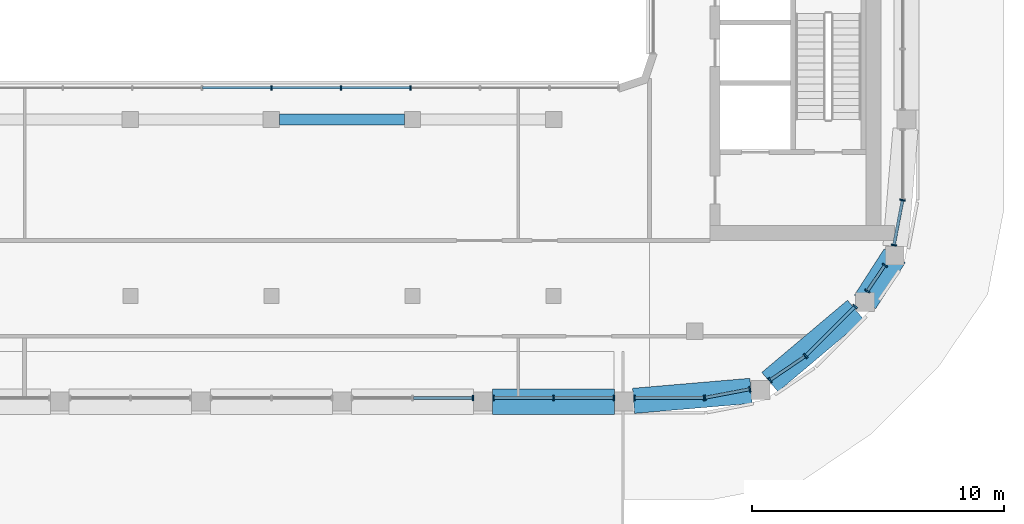
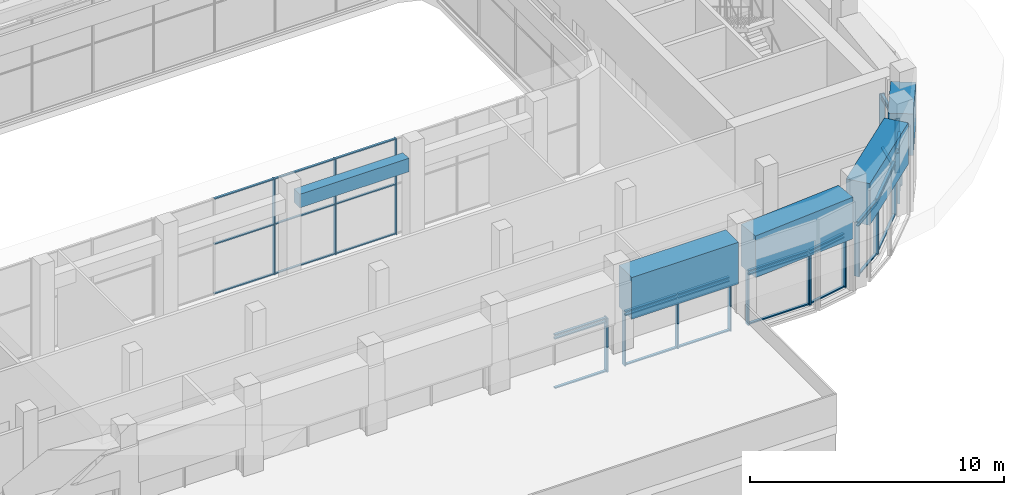
# One storey, part 5 of 23: 55 members, 5 beams, 9 elements without a shape of their own.
"""IFC4 building model written with IfcOpenShell, lengths in metres."""

from ifc_helpers import new_model, si_unit, direction, frame, origin, origin_2d, place, context, subcontext, project, spatial, rectangle, extrude, material, layer, layer_set, material_profile, profile_set, type_object, element, aggregate, save


model = new_model("IFC4")

# Units and contexts
model_context = context("Model", 3, precision=1e-05, world=origin(), true_north=direction((0.0, 1.0)))
body_context = subcontext(model_context, "Body", "Model", "MODEL_VIEW")
ifc_project = project(units=[si_unit("LENGTHUNIT", "METRE"), si_unit("AREAUNIT", "SQUARE_METRE"), si_unit("VOLUMEUNIT", "CUBIC_METRE"), si_unit("PLANEANGLEUNIT", "RADIAN"), si_unit("MASSUNIT", "GRAM", prefix="KILO")], contexts=[model_context])

# Site, building, storey
site_placement = place(None, origin())
site = spatial("IfcSite", under=ifc_project, at=site_placement, CompositionType="ELEMENT")
building_placement = place(site_placement, origin())
building = spatial("IfcBuilding", under=site, at=building_placement, Name="Kiln Ring Residences", CompositionType="ELEMENT")
storey_placement = place(building_placement, frame((0.0, 0.0, 294.5)))
storey = spatial("IfcBuildingStorey", under=building, at=storey_placement, Name="L76", CompositionType="ELEMENT", Elevation=294.5)

# Curtain wall, members
ifc_material_1 = material(Name="Aluminium and glass", Category="aluminium")
ifc_layer_1 = layer(ifc_material_1, 0.179931640625)
ifc_layer_set_1 = layer_set([ifc_layer_1], Name="CW3 CURTAIN WALL")
curtain_wall_type_1 = type_object("IfcCurtainWallType", Name="CW3 CURTAIN WALL", PredefinedType="NOTDEFINED", material=ifc_layer_set_1)
placement = place(storey_placement, origin())
curtain_wall_1 = element("IfcCurtainWall", 1, at=placement, inside=storey, type_object=curtain_wall_type_1, Name="Curtain wall CW3 L76", PredefinedType="NOTDEFINED")
ifc_material_2 = material(Name="Aluminium 6063-T6", Category="aluminium")
ifc_material_profile_1 = material_profile(ifc_material_2, rectangle(XDim=0.179931640625, YDim=0.050048828125, at=origin_2d()), Name="AL 180x50")
ifc_profile_set_1 = profile_set([ifc_material_profile_1], Name="Aluminium 6063-T6")
member_type_1 = type_object("IfcMemberType", Name="CW3 MULLION 180 x 50", PredefinedType="MULLION", material=ifc_profile_set_1)
member_1_placement = place(storey_placement, frame((5.52001953125, -7.14990234375, 0.0), z_axis=(0.0, 0.0, 1.0), x_axis=(0.0, -1.0, 0.0)))
member_1 = element("IfcMember", 2, at=member_1_placement, type_object=member_type_1, Name="CW3 mullion 4", PredefinedType="MULLION", context=body_context, shape_type="SweptSolid", body=[
    extrude(rectangle(XDim=0.179931640625, YDim=0.050048828125, at=origin_2d()), origin(), (0.0, 0.0, 1.0), 4.60009765625),
])
member_2_placement = place(storey_placement, frame((2.760009765625, -7.14990234375, 0.0), z_axis=(0.0, 0.0, 1.0), x_axis=(0.0, -1.0, 0.0)))
member_2 = element("IfcMember", 3, at=member_2_placement, type_object=member_type_1, Name="CW3 mullion 5", PredefinedType="MULLION", context=body_context, shape_type="SweptSolid", body=[
    extrude(rectangle(XDim=0.179931640625, YDim=0.050048828125, at=origin_2d()), origin(), (0.0, 0.0, 1.0), 4.60009765625),
])
member_3_placement = place(storey_placement, frame((0.0, -7.14990234375, 0.0), z_axis=(0.0, 0.0, 1.0), x_axis=(0.0, -1.0, 0.0)))
member_3 = element("IfcMember", 4, at=member_3_placement, type_object=member_type_1, Name="CW3 mullion 6", PredefinedType="MULLION", context=body_context, shape_type="SweptSolid", body=[
    extrude(rectangle(XDim=0.179931640625, YDim=0.050048828125, at=origin_2d()), origin(), (0.0, 0.0, 1.0), 4.60009765625),
])
ifc_material_3 = material(Name="Aluminium 6063-T6", Category="aluminium")
ifc_material_profile_2 = material_profile(ifc_material_3, rectangle(XDim=0.10009765625, YDim=0.050048828125, at=origin_2d()), Name="AL 100x50")
ifc_profile_set_2 = profile_set([ifc_material_profile_2], Name="Aluminium 6063-T6")
member_type_2 = type_object("IfcMemberType", Name="CW3 TRANSOM 100 x 50", PredefinedType="USERDEFINED", material=ifc_profile_set_2)
member_4_placement = place(storey_placement, frame((5.4951171875, -7.14990234375, 0.02490234375), z_axis=(-1.0, 0.0, 0.0), x_axis=(0.0, -1.0, 0.0)))
member_4 = element("IfcMember", 5, at=member_4_placement, type_object=member_type_2, Name="CW3 transom 4.1", ObjectType="TRANSOM", PredefinedType="USERDEFINED", context=body_context, shape_type="SweptSolid", body=[
    extrude(rectangle(XDim=0.10009765625, YDim=0.050048828125, at=origin_2d()), origin(), (0.0, 0.0, 1.0), 2.710205078125),
])
member_5_placement = place(storey_placement, frame((5.4951171875, -7.14990234375, 2.39990234375), z_axis=(-1.0, 0.0, 0.0), x_axis=(0.0, -1.0, 0.0)))
member_5 = element("IfcMember", 6, at=member_5_placement, type_object=member_type_2, Name="CW3 transom 4.2", ObjectType="TRANSOM", PredefinedType="USERDEFINED", context=body_context, shape_type="SweptSolid", body=[
    extrude(rectangle(XDim=0.10009765625, YDim=0.050048828125, at=origin_2d()), origin(), (0.0, 0.0, 1.0), 2.710205078125),
])
member_6_placement = place(storey_placement, frame((5.4951171875, -7.14990234375, 4.574951171875), z_axis=(-1.0, 0.0, 0.0), x_axis=(0.0, -1.0, 0.0)))
member_6 = element("IfcMember", 7, at=member_6_placement, type_object=member_type_2, Name="CW3 transom 4.3", ObjectType="TRANSOM", PredefinedType="USERDEFINED", context=body_context, shape_type="SweptSolid", body=[
    extrude(rectangle(XDim=0.10009765625, YDim=0.050048828125, at=origin_2d()), origin(), (0.0, 0.0, 1.0), 2.710205078125),
])
member_7_placement = place(storey_placement, frame((2.735107421875, -7.14990234375, 0.02490234375), z_axis=(-1.0, 0.0, 0.0), x_axis=(0.0, -1.0, 0.0)))
member_7 = element("IfcMember", 8, at=member_7_placement, type_object=member_type_2, Name="CW3 transom 5.1", ObjectType="TRANSOM", PredefinedType="USERDEFINED", context=body_context, shape_type="SweptSolid", body=[
    extrude(rectangle(XDim=0.10009765625, YDim=0.050048828125, at=origin_2d()), origin(), (0.0, 0.0, 1.0), 2.710205078125),
])
member_8_placement = place(storey_placement, frame((2.735107421875, -7.14990234375, 2.39990234375), z_axis=(-1.0, 0.0, 0.0), x_axis=(0.0, -1.0, 0.0)))
member_8 = element("IfcMember", 9, at=member_8_placement, type_object=member_type_2, Name="CW3 transom 5.2", ObjectType="TRANSOM", PredefinedType="USERDEFINED", context=body_context, shape_type="SweptSolid", body=[
    extrude(rectangle(XDim=0.10009765625, YDim=0.050048828125, at=origin_2d()), origin(), (0.0, 0.0, 1.0), 2.710205078125),
])
member_9_placement = place(storey_placement, frame((2.735107421875, -7.14990234375, 4.574951171875), z_axis=(-1.0, 0.0, 0.0), x_axis=(0.0, -1.0, 0.0)))
member_9 = element("IfcMember", 10, at=member_9_placement, type_object=member_type_2, Name="CW3 transom 5.3", ObjectType="TRANSOM", PredefinedType="USERDEFINED", context=body_context, shape_type="SweptSolid", body=[
    extrude(rectangle(XDim=0.10009765625, YDim=0.050048828125, at=origin_2d()), origin(), (0.0, 0.0, 1.0), 2.710205078125),
])
member_10_placement = place(storey_placement, frame((-0.02490234375, -7.14990234375, 0.02490234375), z_axis=(-1.0, 0.0, 0.0), x_axis=(0.0, -1.0, 0.0)))
member_10 = element("IfcMember", 11, at=member_10_placement, type_object=member_type_2, Name="CW3 transom 6.1", ObjectType="TRANSOM", PredefinedType="USERDEFINED", context=body_context, shape_type="SweptSolid", body=[
    extrude(rectangle(XDim=0.10009765625, YDim=0.050048828125, at=origin_2d()), origin(), (0.0, 0.0, 1.0), 2.710205078125),
])
member_11_placement = place(storey_placement, frame((-0.02490234375, -7.14990234375, 2.39990234375), z_axis=(-1.0, 0.0, 0.0), x_axis=(0.0, -1.0, 0.0)))
member_11 = element("IfcMember", 12, at=member_11_placement, type_object=member_type_2, Name="CW3 transom 6.2", ObjectType="TRANSOM", PredefinedType="USERDEFINED", context=body_context, shape_type="SweptSolid", body=[
    extrude(rectangle(XDim=0.10009765625, YDim=0.050048828125, at=origin_2d()), origin(), (0.0, 0.0, 1.0), 2.710205078125),
])
member_12_placement = place(storey_placement, frame((-0.02490234375, -7.14990234375, 4.574951171875), z_axis=(-1.0, 0.0, 0.0), x_axis=(0.0, -1.0, 0.0)))
member_12 = element("IfcMember", 13, at=member_12_placement, type_object=member_type_2, Name="CW3 transom 6.3", ObjectType="TRANSOM", PredefinedType="USERDEFINED", context=body_context, shape_type="SweptSolid", body=[
    extrude(rectangle(XDim=0.10009765625, YDim=0.050048828125, at=origin_2d()), origin(), (0.0, 0.0, 1.0), 2.710205078125),
])
aggregate(curtain_wall_1, [member_1, member_2, member_3, member_4, member_5, member_6, member_7, member_8, member_9, member_10, member_11, member_12])

# Curtain wall, member
ifc_material_4 = material(Name="Aluminium and glass", Category="aluminium")
ifc_layer_2 = layer(ifc_material_4, 0.219970703125)
ifc_layer_set_2 = layer_set([ifc_layer_2], Name="CW5 CURTAIN WALL")
curtain_wall_type_2 = type_object("IfcCurtainWallType", Name="CW5 CURTAIN WALL", PredefinedType="NOTDEFINED", material=ifc_layer_set_2)
curtain_wall_2 = element("IfcCurtainWall", 14, at=placement, inside=storey, type_object=curtain_wall_type_2, Name="Curtain wall CW5 L76", PredefinedType="NOTDEFINED")
ifc_material_5 = material(Name="Aluminium 6063-T6", Category="aluminium")
ifc_material_profile_3 = material_profile(ifc_material_5, rectangle(XDim=0.219970703125, YDim=0.06005859375, at=origin_2d()), Name="AL 220x60")
ifc_profile_set_3 = profile_set([ifc_material_profile_3], Name="Aluminium 6063-T6")
member_type_3 = type_object("IfcMemberType", Name="CW5 MULLION 220 x 60", PredefinedType="MULLION", material=ifc_profile_set_3)
member_13_placement = place(storey_placement, frame((7.9951171875, -19.449951171875, 0.0), z_axis=(0.0, 0.0, 1.0), x_axis=(0.0, 1.0, 0.0)))
member_13 = element("IfcMember", 15, at=member_13_placement, type_object=member_type_3, Name="CW5 mullion 3", PredefinedType="MULLION", context=body_context, shape_type="SweptSolid", body=[
    extrude(rectangle(XDim=0.219970703125, YDim=0.06005859375, at=origin_2d()), origin(), (0.0, 0.0, 1.0), 2.60009765625),
])

# Curtain wall, members
curtain_wall_3 = element("IfcCurtainWall", 16, at=placement, inside=storey, type_object=curtain_wall_type_2, Name="Curtain wall CW5 L76", PredefinedType="NOTDEFINED")
member_14_placement = place(storey_placement, frame((8.804931640625, -19.449951171875, 0.0), z_axis=(0.0, 0.0, 1.0), x_axis=(0.0, 1.0, 0.0)))
member_14 = element("IfcMember", 17, at=member_14_placement, type_object=member_type_3, Name="CW5 mullion 1", PredefinedType="MULLION", context=body_context, shape_type="SweptSolid", body=[
    extrude(rectangle(XDim=0.219970703125, YDim=0.06005859375, at=origin_2d()), origin(), (0.0, 0.0, 1.0), 2.60009765625),
])
member_15_placement = place(storey_placement, frame((11.199951171875, -19.449951171875, 0.0), z_axis=(0.0, 0.0, 1.0), x_axis=(0.0, 1.0, 0.0)))
member_15 = element("IfcMember", 18, at=member_15_placement, type_object=member_type_3, Name="CW5 mullion 2", PredefinedType="MULLION", context=body_context, shape_type="SweptSolid", body=[
    extrude(rectangle(XDim=0.219970703125, YDim=0.06005859375, at=origin_2d()), origin(), (0.0, 0.0, 1.0), 2.60009765625),
])
member_16_placement = place(storey_placement, frame((13.594970703125, -19.449951171875, 0.0), z_axis=(0.0, 0.0, 1.0), x_axis=(0.0, 1.0, 0.0)))
member_16 = element("IfcMember", 19, at=member_16_placement, type_object=member_type_3, Name="CW5 mullion 3", PredefinedType="MULLION", context=body_context, shape_type="SweptSolid", body=[
    extrude(rectangle(XDim=0.219970703125, YDim=0.06005859375, at=origin_2d()), origin(), (0.0, 0.0, 1.0), 2.60009765625),
])

curtain_wall_4 = element("IfcCurtainWall", 20, at=placement, inside=storey, type_object=curtain_wall_type_2, Name="Curtain wall CW5 L76", PredefinedType="NOTDEFINED")
member_17_placement = place(storey_placement, frame((14.405029296875, -19.449951171875, 0.0), z_axis=(0.0, 0.0, 1.0), x_axis=(0.0, 1.0, 0.0)))
member_17 = element("IfcMember", 21, at=member_17_placement, type_object=member_type_3, Name="CW5 mullion 1", PredefinedType="MULLION", context=body_context, shape_type="SweptSolid", body=[
    extrude(rectangle(XDim=0.219970703125, YDim=0.06005859375, at=origin_2d()), origin(), (0.0, 0.0, 1.0), 2.60009765625),
])
member_18_placement = place(storey_placement, frame((17.169921875, -19.449951171875, 0.0), z_axis=(0.0, 0.0, 1.0), x_axis=(0.0, 1.0, 0.0)))
member_18 = element("IfcMember", 22, at=member_18_placement, type_object=member_type_3, Name="CW5 mullion 2", PredefinedType="MULLION", context=body_context, shape_type="SweptSolid", body=[
    extrude(rectangle(XDim=0.219970703125, YDim=0.06005859375, at=origin_2d()), origin(), (0.0, 0.0, 1.0), 2.60009765625),
])

curtain_wall_5 = element("IfcCurtainWall", 23, at=placement, inside=storey, type_object=curtain_wall_type_2, Name="Curtain wall CW5 L76", PredefinedType="NOTDEFINED")
member_19_placement = place(storey_placement, frame((17.201416015625, -19.447021484375, 0.0), z_axis=(0.0, 0.0, 1.0), x_axis=(-0.187365550364, 0.982290257784, 0.0)))
member_19 = element("IfcMember", 24, at=member_19_placement, type_object=member_type_3, Name="CW5 mullion 1", PredefinedType="MULLION", context=body_context, shape_type="SweptSolid", body=[
    extrude(rectangle(XDim=0.219970703125, YDim=0.06005859375, at=origin_2d()), origin(), (0.0, 0.0, 1.0), 2.60009765625),
])
member_20_placement = place(storey_placement, frame((18.990234375, -19.105712890625, 0.0), z_axis=(0.0, 0.0, 1.0), x_axis=(-0.187365550364, 0.982290257784, 0.0)))
member_20 = element("IfcMember", 25, at=member_20_placement, type_object=member_type_3, Name="CW5 mullion 2", PredefinedType="MULLION", context=body_context, shape_type="SweptSolid", body=[
    extrude(rectangle(XDim=0.219970703125, YDim=0.06005859375, at=origin_2d()), origin(), (0.0, 0.0, 1.0), 2.60009765625),
])

curtain_wall_6 = element("IfcCurtainWall", 26, at=placement, inside=storey, type_object=curtain_wall_type_2, Name="Curtain wall CW5 L76", PredefinedType="NOTDEFINED")
member_21_placement = place(storey_placement, frame((19.789306640625, -18.746337890625, 0.0), z_axis=(0.0, 0.0, 1.0), x_axis=(-0.562096651134, 0.827071553606, 0.0)))
member_21 = element("IfcMember", 27, at=member_21_placement, type_object=member_type_3, Name="CW5 mullion 1", PredefinedType="MULLION", context=body_context, shape_type="SweptSolid", body=[
    extrude(rectangle(XDim=0.219970703125, YDim=0.06005859375, at=origin_2d()), origin(), (0.0, 0.0, 1.0), 2.60009765625),
])
member_22_placement = place(storey_placement, frame((21.18798828125, -17.795654296875, 0.0), z_axis=(0.0, 0.0, 1.0), x_axis=(-0.562096651134, 0.827071553606, 0.0)))
member_22 = element("IfcMember", 28, at=member_22_placement, type_object=member_type_3, Name="CW5 mullion 2", PredefinedType="MULLION", context=body_context, shape_type="SweptSolid", body=[
    extrude(rectangle(XDim=0.219970703125, YDim=0.06005859375, at=origin_2d()), origin(), (0.0, 0.0, 1.0), 2.60009765625),
])

curtain_wall_7 = element("IfcCurtainWall", 29, at=placement, inside=storey, type_object=curtain_wall_type_2, Name="Curtain wall CW5 L76", PredefinedType="NOTDEFINED")
member_23_placement = place(storey_placement, frame((21.212158203125, -17.775634765625, 0.0), z_axis=(0.0, 0.0, 1.0), x_axis=(-0.707106781187, 0.707106781187, 0.0)))
member_23 = element("IfcMember", 30, at=member_23_placement, type_object=member_type_3, Name="CW5 mullion 1", PredefinedType="MULLION", context=body_context, shape_type="SweptSolid", body=[
    extrude(rectangle(XDim=0.219970703125, YDim=0.06005859375, at=origin_2d()), origin(), (0.0, 0.0, 1.0), 2.60009765625),
])
member_24_placement = place(storey_placement, frame((23.16357421875, -15.82421875, 0.0), z_axis=(0.0, 0.0, 1.0), x_axis=(-0.707106781187, 0.707106781187, 0.0)))
member_24 = element("IfcMember", 31, at=member_24_placement, type_object=member_type_3, Name="CW5 mullion 2", PredefinedType="MULLION", context=body_context, shape_type="SweptSolid", body=[
    extrude(rectangle(XDim=0.219970703125, YDim=0.06005859375, at=origin_2d()), origin(), (0.0, 0.0, 1.0), 2.60009765625),
])

curtain_wall_8 = element("IfcCurtainWall", 32, at=placement, inside=storey, type_object=curtain_wall_type_2, Name="Curtain wall CW5 L76", PredefinedType="NOTDEFINED")
member_25_placement = place(storey_placement, frame((23.65087890625, -15.21240234375, 0.0), z_axis=(0.0, 0.0, 1.0), x_axis=(-0.827071553674, 0.562096651033, 0.0)))
member_25 = element("IfcMember", 33, at=member_25_placement, type_object=member_type_3, Name="CW5 mullion 1", PredefinedType="MULLION", context=body_context, shape_type="SweptSolid", body=[
    extrude(rectangle(XDim=0.219970703125, YDim=0.06005859375, at=origin_2d()), origin(), (0.0, 0.0, 1.0), 2.60009765625),
])
member_26_placement = place(storey_placement, frame((24.34619140625, -14.189453125, 0.0), z_axis=(0.0, 0.0, 1.0), x_axis=(-0.827071553674, 0.562096651033, 0.0)))
member_26 = element("IfcMember", 34, at=member_26_placement, type_object=member_type_3, Name="CW5 mullion 2", PredefinedType="MULLION", context=body_context, shape_type="SweptSolid", body=[
    extrude(rectangle(XDim=0.219970703125, YDim=0.06005859375, at=origin_2d()), origin(), (0.0, 0.0, 1.0), 2.60009765625),
])

curtain_wall_9 = element("IfcCurtainWall", 35, at=placement, inside=storey, type_object=curtain_wall_type_2, Name="Curtain wall CW5 L76", PredefinedType="NOTDEFINED")
member_27_placement = place(storey_placement, frame((24.705810546875, -13.39013671875, 0.0), z_axis=(0.0, 0.0, 1.0), x_axis=(-0.982290257784, 0.187365550364, 0.0)))
member_27 = element("IfcMember", 36, at=member_27_placement, type_object=member_type_3, Name="CW5 mullion 1", PredefinedType="MULLION", context=body_context, shape_type="SweptSolid", body=[
    extrude(rectangle(XDim=0.219970703125, YDim=0.06005859375, at=origin_2d()), origin(), (0.0, 0.0, 1.0), 2.60009765625),
])
member_28_placement = place(storey_placement, frame((25.047119140625, -11.601318359375, 0.0), z_axis=(0.0, 0.0, 1.0), x_axis=(-0.982290257784, 0.187365550364, 0.0)))
member_28 = element("IfcMember", 37, at=member_28_placement, type_object=member_type_3, Name="CW5 mullion 2", PredefinedType="MULLION", context=body_context, shape_type="SweptSolid", body=[
    extrude(rectangle(XDim=0.219970703125, YDim=0.06005859375, at=origin_2d()), origin(), (0.0, 0.0, 1.0), 2.60009765625),
])

# Member
ifc_material_6 = material(Name="Aluminium 6063-T6", Category="aluminium")
ifc_material_profile_4 = material_profile(ifc_material_6, rectangle(XDim=0.1201171875, YDim=0.06005859375, at=origin_2d()), Name="AL 120x60")
ifc_profile_set_4 = profile_set([ifc_material_profile_4], Name="Aluminium 6063-T6")
member_type_4 = type_object("IfcMemberType", Name="CW5 TRANSOM 120 x 60", PredefinedType="USERDEFINED", material=ifc_profile_set_4)
member_29_placement = place(storey_placement, frame((5.6298828125, -19.449951171875, 0.030029296875), z_axis=(1.0, 0.0, 0.0), x_axis=(0.0, 1.0, 0.0)))
member_29 = element("IfcMember", 38, at=member_29_placement, type_object=member_type_4, Name="CW5 transom 2.1", ObjectType="TRANSOM", PredefinedType="USERDEFINED", context=body_context, shape_type="SweptSolid", body=[
    extrude(rectangle(XDim=0.1201171875, YDim=0.06005859375, at=origin_2d()), origin(), (0.0, 0.0, 1.0), 2.335205078125),
])

member_30_placement = place(storey_placement, frame((5.6298828125, -19.449951171875, 2.39990234375), z_axis=(1.0, 0.0, 0.0), x_axis=(0.0, 1.0, 0.0)))
member_30 = element("IfcMember", 39, at=member_30_placement, type_object=member_type_4, Name="CW5 transom 2.2", ObjectType="TRANSOM", PredefinedType="USERDEFINED", context=body_context, shape_type="SweptSolid", body=[
    extrude(rectangle(XDim=0.1201171875, YDim=0.06005859375, at=origin_2d()), origin(), (0.0, 0.0, 1.0), 2.335205078125),
])

member_31_placement = place(storey_placement, frame((5.6298828125, -19.449951171875, 2.570068359375), z_axis=(1.0, 0.0, 0.0), x_axis=(0.0, 1.0, 0.0)))
member_31 = element("IfcMember", 40, at=member_31_placement, type_object=member_type_4, Name="CW5 transom 2.3", ObjectType="TRANSOM", PredefinedType="USERDEFINED", context=body_context, shape_type="SweptSolid", body=[
    extrude(rectangle(XDim=0.1201171875, YDim=0.06005859375, at=origin_2d()), origin(), (0.0, 0.0, 1.0), 2.335205078125),
])

aggregate(curtain_wall_2, [member_13, member_29, member_30, member_31])

member_32_placement = place(storey_placement, frame((8.8349609375, -19.449951171875, 0.030029296875), z_axis=(1.0, 0.0, 0.0), x_axis=(0.0, 1.0, 0.0)))
member_32 = element("IfcMember", 41, at=member_32_placement, type_object=member_type_4, Name="CW5 transom 1.1", ObjectType="TRANSOM", PredefinedType="USERDEFINED", context=body_context, shape_type="SweptSolid", body=[
    extrude(rectangle(XDim=0.1201171875, YDim=0.06005859375, at=origin_2d()), origin(), (0.0, 0.0, 1.0), 2.3349609375),
])

member_33_placement = place(storey_placement, frame((8.8349609375, -19.449951171875, 2.39990234375), z_axis=(1.0, 0.0, 0.0), x_axis=(0.0, 1.0, 0.0)))
member_33 = element("IfcMember", 42, at=member_33_placement, type_object=member_type_4, Name="CW5 transom 1.2", ObjectType="TRANSOM", PredefinedType="USERDEFINED", context=body_context, shape_type="SweptSolid", body=[
    extrude(rectangle(XDim=0.1201171875, YDim=0.06005859375, at=origin_2d()), origin(), (0.0, 0.0, 1.0), 2.3349609375),
])

member_34_placement = place(storey_placement, frame((8.8349609375, -19.449951171875, 2.570068359375), z_axis=(1.0, 0.0, 0.0), x_axis=(0.0, 1.0, 0.0)))
member_34 = element("IfcMember", 43, at=member_34_placement, type_object=member_type_4, Name="CW5 transom 1.3", ObjectType="TRANSOM", PredefinedType="USERDEFINED", context=body_context, shape_type="SweptSolid", body=[
    extrude(rectangle(XDim=0.1201171875, YDim=0.06005859375, at=origin_2d()), origin(), (0.0, 0.0, 1.0), 2.3349609375),
])

member_35_placement = place(storey_placement, frame((11.22998046875, -19.449951171875, 0.030029296875), z_axis=(1.0, 0.0, 0.0), x_axis=(0.0, 1.0, 0.0)))
member_35 = element("IfcMember", 44, at=member_35_placement, type_object=member_type_4, Name="CW5 transom 2.1", ObjectType="TRANSOM", PredefinedType="USERDEFINED", context=body_context, shape_type="SweptSolid", body=[
    extrude(rectangle(XDim=0.1201171875, YDim=0.06005859375, at=origin_2d()), origin(), (0.0, 0.0, 1.0), 2.3349609375),
])

member_36_placement = place(storey_placement, frame((11.22998046875, -19.449951171875, 2.39990234375), z_axis=(1.0, 0.0, 0.0), x_axis=(0.0, 1.0, 0.0)))
member_36 = element("IfcMember", 45, at=member_36_placement, type_object=member_type_4, Name="CW5 transom 2.2", ObjectType="TRANSOM", PredefinedType="USERDEFINED", context=body_context, shape_type="SweptSolid", body=[
    extrude(rectangle(XDim=0.1201171875, YDim=0.06005859375, at=origin_2d()), origin(), (0.0, 0.0, 1.0), 2.3349609375),
])

member_37_placement = place(storey_placement, frame((11.22998046875, -19.449951171875, 2.570068359375), z_axis=(1.0, 0.0, 0.0), x_axis=(0.0, 1.0, 0.0)))
member_37 = element("IfcMember", 46, at=member_37_placement, type_object=member_type_4, Name="CW5 transom 2.3", ObjectType="TRANSOM", PredefinedType="USERDEFINED", context=body_context, shape_type="SweptSolid", body=[
    extrude(rectangle(XDim=0.1201171875, YDim=0.06005859375, at=origin_2d()), origin(), (0.0, 0.0, 1.0), 2.3349609375),
])

aggregate(curtain_wall_3, [member_14, member_15, member_16, member_32, member_33, member_34, member_35, member_36, member_37])

member_38_placement = place(storey_placement, frame((14.43505859375, -19.449951171875, 0.030029296875), z_axis=(1.0, 0.0, 0.0), x_axis=(0.0, 1.0, 0.0)))
member_38 = element("IfcMember", 47, at=member_38_placement, type_object=member_type_4, Name="CW5 transom 1.1", ObjectType="TRANSOM", PredefinedType="USERDEFINED", context=body_context, shape_type="SweptSolid", body=[
    extrude(rectangle(XDim=0.1201171875, YDim=0.06005859375, at=origin_2d()), origin(), (0.0, 0.0, 1.0), 2.704833984375),
])

member_39_placement = place(storey_placement, frame((14.43505859375, -19.449951171875, 2.39990234375), z_axis=(1.0, 0.0, 0.0), x_axis=(0.0, 1.0, 0.0)))
member_39 = element("IfcMember", 48, at=member_39_placement, type_object=member_type_4, Name="CW5 transom 1.2", ObjectType="TRANSOM", PredefinedType="USERDEFINED", context=body_context, shape_type="SweptSolid", body=[
    extrude(rectangle(XDim=0.1201171875, YDim=0.06005859375, at=origin_2d()), origin(), (0.0, 0.0, 1.0), 2.704833984375),
])

member_40_placement = place(storey_placement, frame((14.43505859375, -19.449951171875, 2.570068359375), z_axis=(1.0, 0.0, 0.0), x_axis=(0.0, 1.0, 0.0)))
member_40 = element("IfcMember", 49, at=member_40_placement, type_object=member_type_4, Name="CW5 transom 1.3", ObjectType="TRANSOM", PredefinedType="USERDEFINED", context=body_context, shape_type="SweptSolid", body=[
    extrude(rectangle(XDim=0.1201171875, YDim=0.06005859375, at=origin_2d()), origin(), (0.0, 0.0, 1.0), 2.704833984375),
])

aggregate(curtain_wall_4, [member_17, member_18, member_38, member_39, member_40])

member_41_placement = place(storey_placement, frame((17.230712890625, -19.44140625, 0.030029296875), z_axis=(0.982280279114, 0.187417857375, 0.0), x_axis=(-0.187417857375, 0.982280279114, 0.0)))
member_41 = element("IfcMember", 50, at=member_41_placement, type_object=member_type_4, Name="CW5 transom 1.1", ObjectType="TRANSOM", PredefinedType="USERDEFINED", context=body_context, shape_type="SweptSolid", body=[
    extrude(rectangle(XDim=0.1201171875, YDim=0.06005859375, at=origin_2d()), origin(), (0.0, 0.0, 1.0), 1.76123046875),
])

member_42_placement = place(storey_placement, frame((17.230712890625, -19.44140625, 2.39990234375), z_axis=(0.982280279114, 0.187417857375, 0.0), x_axis=(-0.187417857375, 0.982280279114, 0.0)))
member_42 = element("IfcMember", 51, at=member_42_placement, type_object=member_type_4, Name="CW5 transom 1.2", ObjectType="TRANSOM", PredefinedType="USERDEFINED", context=body_context, shape_type="SweptSolid", body=[
    extrude(rectangle(XDim=0.1201171875, YDim=0.06005859375, at=origin_2d()), origin(), (0.0, 0.0, 1.0), 1.76123046875),
])

member_43_placement = place(storey_placement, frame((17.230712890625, -19.44140625, 2.570068359375), z_axis=(0.982280279114, 0.187417857375, 0.0), x_axis=(-0.187417857375, 0.982280279114, 0.0)))
member_43 = element("IfcMember", 52, at=member_43_placement, type_object=member_type_4, Name="CW5 transom 1.3", ObjectType="TRANSOM", PredefinedType="USERDEFINED", context=body_context, shape_type="SweptSolid", body=[
    extrude(rectangle(XDim=0.1201171875, YDim=0.06005859375, at=origin_2d()), origin(), (0.0, 0.0, 1.0), 1.76123046875),
])

aggregate(curtain_wall_5, [member_19, member_20, member_41, member_42, member_43])

member_44_placement = place(storey_placement, frame((19.814208984375, -18.7294921875, 0.030029296875), z_axis=(0.826996096484, 0.562207663058, 0.0), x_axis=(-0.562207663058, 0.826996096484, 0.0)))
member_44 = element("IfcMember", 53, at=member_44_placement, type_object=member_type_4, Name="CW5 transom 1.1", ObjectType="TRANSOM", PredefinedType="USERDEFINED", context=body_context, shape_type="SweptSolid", body=[
    extrude(rectangle(XDim=0.1201171875, YDim=0.06005859375, at=origin_2d()), origin(), (0.0, 0.0, 1.0), 1.631103515625),
])

member_45_placement = place(storey_placement, frame((19.814208984375, -18.7294921875, 2.39990234375), z_axis=(0.826996096484, 0.562207663058, 0.0), x_axis=(-0.562207663058, 0.826996096484, 0.0)))
member_45 = element("IfcMember", 54, at=member_45_placement, type_object=member_type_4, Name="CW5 transom 1.2", ObjectType="TRANSOM", PredefinedType="USERDEFINED", context=body_context, shape_type="SweptSolid", body=[
    extrude(rectangle(XDim=0.1201171875, YDim=0.06005859375, at=origin_2d()), origin(), (0.0, 0.0, 1.0), 1.631103515625),
])

member_46_placement = place(storey_placement, frame((19.814208984375, -18.7294921875, 2.570068359375), z_axis=(0.826996096484, 0.562207663058, 0.0), x_axis=(-0.562207663058, 0.826996096484, 0.0)))
member_46 = element("IfcMember", 55, at=member_46_placement, type_object=member_type_4, Name="CW5 transom 1.3", ObjectType="TRANSOM", PredefinedType="USERDEFINED", context=body_context, shape_type="SweptSolid", body=[
    extrude(rectangle(XDim=0.1201171875, YDim=0.06005859375, at=origin_2d()), origin(), (0.0, 0.0, 1.0), 1.631103515625),
])

aggregate(curtain_wall_6, [member_21, member_22, member_44, member_45, member_46])

member_47_placement = place(storey_placement, frame((21.2333984375, -17.75439453125, 0.030029296875), z_axis=(0.707106781187, 0.707106781187, 0.0), x_axis=(-0.707106781187, 0.707106781187, 0.0)))
member_47 = element("IfcMember", 56, at=member_47_placement, type_object=member_type_4, Name="CW5 transom 1.1", ObjectType="TRANSOM", PredefinedType="USERDEFINED", context=body_context, shape_type="SweptSolid", body=[
    extrude(rectangle(XDim=0.1201171875, YDim=0.06005859375, at=origin_2d()), origin(), (0.0, 0.0, 1.0), 2.69970703125),
])

member_48_placement = place(storey_placement, frame((21.2333984375, -17.75439453125, 2.39990234375), z_axis=(0.707106781187, 0.707106781187, 0.0), x_axis=(-0.707106781187, 0.707106781187, 0.0)))
member_48 = element("IfcMember", 57, at=member_48_placement, type_object=member_type_4, Name="CW5 transom 1.2", ObjectType="TRANSOM", PredefinedType="USERDEFINED", context=body_context, shape_type="SweptSolid", body=[
    extrude(rectangle(XDim=0.1201171875, YDim=0.06005859375, at=origin_2d()), origin(), (0.0, 0.0, 1.0), 2.69970703125),
])

member_49_placement = place(storey_placement, frame((21.2333984375, -17.75439453125, 2.570068359375), z_axis=(0.707106781187, 0.707106781187, 0.0), x_axis=(-0.707106781187, 0.707106781187, 0.0)))
member_49 = element("IfcMember", 58, at=member_49_placement, type_object=member_type_4, Name="CW5 transom 1.3", ObjectType="TRANSOM", PredefinedType="USERDEFINED", context=body_context, shape_type="SweptSolid", body=[
    extrude(rectangle(XDim=0.1201171875, YDim=0.06005859375, at=origin_2d()), origin(), (0.0, 0.0, 1.0), 2.69970703125),
])

aggregate(curtain_wall_7, [member_23, member_24, member_47, member_48, member_49])

member_50_placement = place(storey_placement, frame((23.667724609375, -15.187744140625, 0.030029296875), z_axis=(0.56204904385, 0.827103906596, 0.0), x_axis=(-0.827103906596, 0.56204904385, 0.0)))
member_50 = element("IfcMember", 59, at=member_50_placement, type_object=member_type_4, Name="CW5 transom 1.1", ObjectType="TRANSOM", PredefinedType="USERDEFINED", context=body_context, shape_type="SweptSolid", body=[
    extrude(rectangle(XDim=0.1201171875, YDim=0.06005859375, at=origin_2d()), origin(), (0.0, 0.0, 1.0), 1.17724609375),
])

member_51_placement = place(storey_placement, frame((23.667724609375, -15.187744140625, 2.39990234375), z_axis=(0.56204904385, 0.827103906596, 0.0), x_axis=(-0.827103906596, 0.56204904385, 0.0)))
member_51 = element("IfcMember", 60, at=member_51_placement, type_object=member_type_4, Name="CW5 transom 1.2", ObjectType="TRANSOM", PredefinedType="USERDEFINED", context=body_context, shape_type="SweptSolid", body=[
    extrude(rectangle(XDim=0.1201171875, YDim=0.06005859375, at=origin_2d()), origin(), (0.0, 0.0, 1.0), 1.17724609375),
])

member_52_placement = place(storey_placement, frame((23.667724609375, -15.187744140625, 2.570068359375), z_axis=(0.56204904385, 0.827103906596, 0.0), x_axis=(-0.827103906596, 0.56204904385, 0.0)))
member_52 = element("IfcMember", 61, at=member_52_placement, type_object=member_type_4, Name="CW5 transom 1.3", ObjectType="TRANSOM", PredefinedType="USERDEFINED", context=body_context, shape_type="SweptSolid", body=[
    extrude(rectangle(XDim=0.1201171875, YDim=0.06005859375, at=origin_2d()), origin(), (0.0, 0.0, 1.0), 1.17724609375),
])

aggregate(curtain_wall_8, [member_25, member_26, member_50, member_51, member_52])

member_53_placement = place(storey_placement, frame((24.71142578125, -13.36083984375, 0.030029296875), z_axis=(0.187417857375, 0.982280279114, 0.0), x_axis=(-0.982280279114, 0.187417857375, 0.0)))
member_53 = element("IfcMember", 62, at=member_53_placement, type_object=member_type_4, Name="CW5 transom 1.1", ObjectType="TRANSOM", PredefinedType="USERDEFINED", context=body_context, shape_type="SweptSolid", body=[
    extrude(rectangle(XDim=0.1201171875, YDim=0.06005859375, at=origin_2d()), origin(), (0.0, 0.0, 1.0), 1.76123046875),
])

member_54_placement = place(storey_placement, frame((24.71142578125, -13.36083984375, 2.39990234375), z_axis=(0.187417857375, 0.982280279114, 0.0), x_axis=(-0.982280279114, 0.187417857375, 0.0)))
member_54 = element("IfcMember", 63, at=member_54_placement, type_object=member_type_4, Name="CW5 transom 1.2", ObjectType="TRANSOM", PredefinedType="USERDEFINED", context=body_context, shape_type="SweptSolid", body=[
    extrude(rectangle(XDim=0.1201171875, YDim=0.06005859375, at=origin_2d()), origin(), (0.0, 0.0, 1.0), 1.76123046875),
])

member_55_placement = place(storey_placement, frame((24.71142578125, -13.36083984375, 2.570068359375), z_axis=(0.187417857375, 0.982280279114, 0.0), x_axis=(-0.982280279114, 0.187417857375, 0.0)))
member_55 = element("IfcMember", 64, at=member_55_placement, type_object=member_type_4, Name="CW5 transom 1.3", ObjectType="TRANSOM", PredefinedType="USERDEFINED", context=body_context, shape_type="SweptSolid", body=[
    extrude(rectangle(XDim=0.1201171875, YDim=0.06005859375, at=origin_2d()), origin(), (0.0, 0.0, 1.0), 1.76123046875),
])

aggregate(curtain_wall_9, [member_27, member_28, member_53, member_54, member_55])

# Beams
ifc_material_7 = material(Name="Concrete C50/60", Category="concrete")
ifc_material_profile_5 = material_profile(ifc_material_7, rectangle(XDim=0.449951171875, YDim=0.64990234375, at=origin_2d()), Name="RC450x650")
ifc_profile_set_5 = profile_set([ifc_material_profile_5], Name="Concrete C50/60")
beam_type_1 = type_object("IfcBeamType", Name="Ring beam RC450x650 C50/60", PredefinedType="BEAM", material=ifc_profile_set_5)
beam_1_placement = place(storey_placement, frame((0.324951171875, -8.39990234375, 4.27490234375), z_axis=(1.0, 0.0, 0.0), x_axis=(0.0, 1.0, 0.0)))
element("IfcBeam", 65, at=beam_1_placement, inside=storey, type_object=beam_type_1, Name="Ring beam L76 3", PredefinedType="BEAM", context=body_context, shape_type="SweptSolid", body=[
    extrude(rectangle(XDim=0.449951171875, YDim=0.64990234375, at=origin_2d()), origin(), (0.0, 0.0, 1.0), 4.949951171875),
])
ifc_material_8 = material(Name="Concrete C70/85", Category="concrete")
ifc_material_profile_6 = material_profile(ifc_material_8, rectangle(XDim=1.0, YDim=2.0, at=origin_2d()), Name="RC1000x2000")
ifc_profile_set_6 = profile_set([ifc_material_profile_6], Name="Concrete C70/85")
beam_type_2 = type_object("IfcBeamType", Name="Transfer girder RC1000x2000 C70/85", PredefinedType="BEAM", material=ifc_profile_set_6)
beam_2_placement = place(storey_placement, frame((8.77490234375, -19.60009765625, 3.60009765625), z_axis=(1.0, 0.0, 0.0), x_axis=(0.0, 1.0, 0.0)))
element("IfcBeam", 66, at=beam_2_placement, inside=storey, type_object=beam_type_2, Name="Transfer girder L76 6", PredefinedType="BEAM", context=body_context, shape_type="SweptSolid", body=[
    extrude(rectangle(XDim=1.0, YDim=2.0, at=origin_2d()), origin(), (0.0, 0.0, 1.0), 4.85009765625),
])
beam_3_placement = place(storey_placement, frame((14.375, -19.56787109375, 3.60009765625), z_axis=(0.996375913916, 0.085059027553, 0.0), x_axis=(-0.085059027553, 0.996375913916, 0.0)))
element("IfcBeam", 67, at=beam_3_placement, inside=storey, type_object=beam_type_2, Name="Transfer girder L76 7", PredefinedType="BEAM", context=body_context, shape_type="SweptSolid", body=[
    extrude(rectangle(XDim=1.0, YDim=2.0, at=origin_2d()), origin(), (0.0, 0.0, 1.0), 4.675537109375),
])
beam_4_placement = place(storey_placement, frame((19.78369140625, -18.822021484375, 3.60009765625), z_axis=(0.764731805725, 0.644348714062, 0.0), x_axis=(-0.644348714062, 0.764731805725, 0.0)))
element("IfcBeam", 68, at=beam_4_placement, inside=storey, type_object=beam_type_2, Name="Transfer girder L76 8", PredefinedType="BEAM", context=body_context, shape_type="SweptSolid", body=[
    extrude(rectangle(XDim=1.0, YDim=2.0, at=origin_2d()), origin(), (0.0, 0.0, 1.0), 4.447509765625),
])
beam_5_placement = place(storey_placement, frame((23.559814453125, -15.64013671875, 3.60009765625), z_axis=(0.541018199108, 0.84101088473, 0.0), x_axis=(-0.84101088473, 0.541018199108, 0.0)))
element("IfcBeam", 69, at=beam_5_placement, inside=storey, type_object=beam_type_2, Name="Transfer girder L76 9", PredefinedType="BEAM", context=body_context, shape_type="SweptSolid", body=[
    extrude(rectangle(XDim=1.0, YDim=2.0, at=origin_2d()), origin(), (0.0, 0.0, 1.0), 2.177734375),
])

save(model, "model.ifc")
